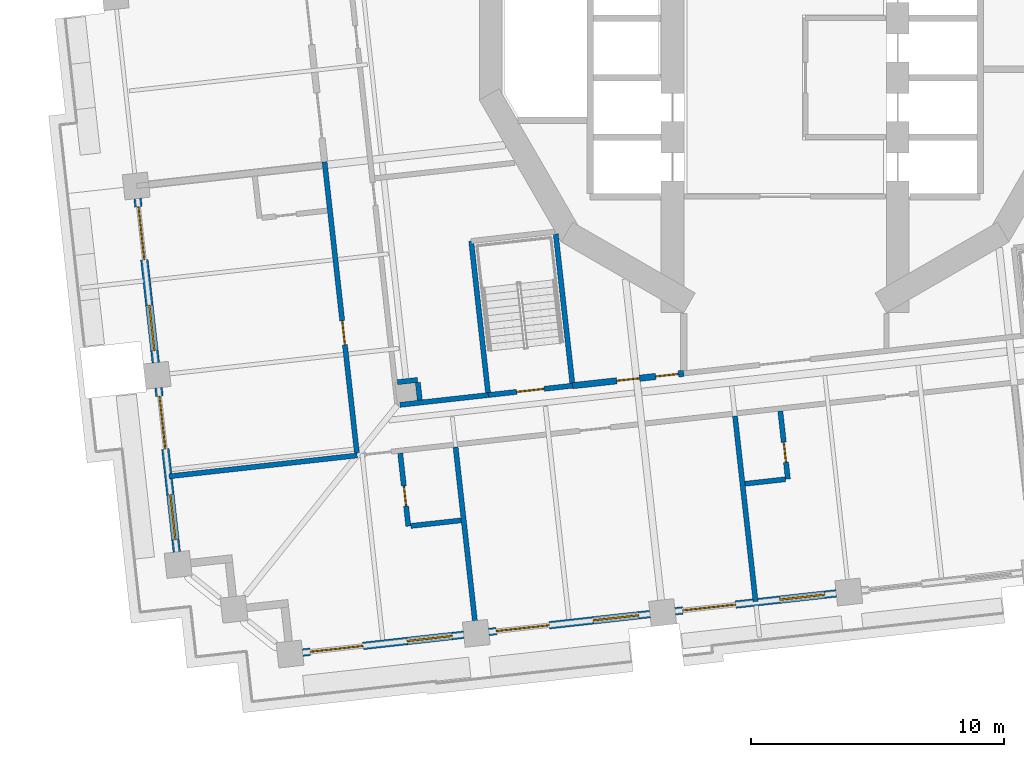
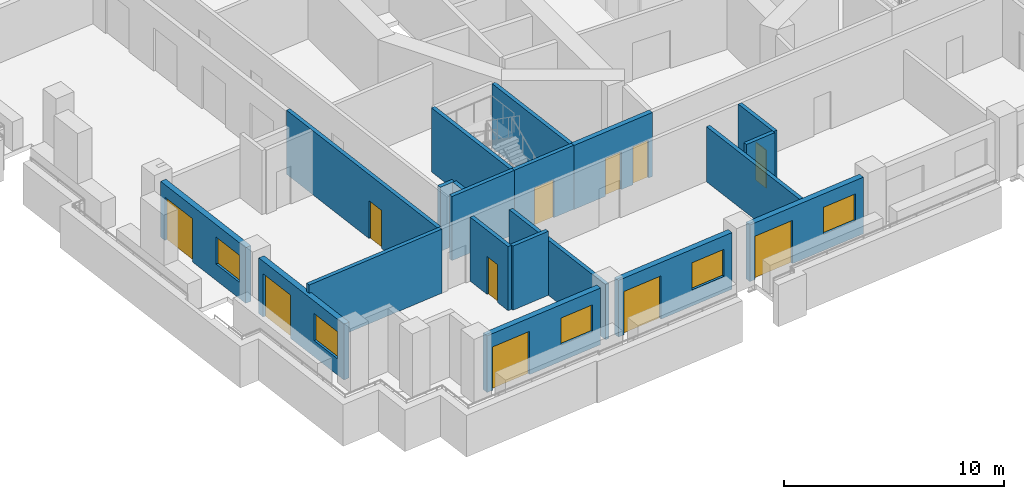
# One storey, part 4 of 19: 20 walls, 11 doors, 5 windows, 16 openings.
"""IFC4 building model written with IfcOpenShell, lengths in metres."""

import ifcopenshell
import ifcopenshell.guid

model = None  # the IFC model being written
_history = None  # IfcOwnerHistory: only IFC2X3 demands one
_inside = {}  # id of a spatial element -> (the spatial element, [elements in it])
_under = {}  # id of a project, library or spatial element -> (it, [spatial elements below it])
_declared = {}  # id of a project -> (the project, [libraries it declares])
_typed = {}  # id of a type object -> (the type object, [elements of that type])
_made_of = {}  # id of a material, layer set ... -> (it, [elements and type objects made of it])


def new_model(schema):
    """Start an empty IFC model of exactly this schema.

    Asked for "IFC4X3", IfcOpenShell would pick the latest addendum, in which some entities
    have other attributes; the version numbers below select the first issue.
    IFC2X3 requires an IfcOwnerHistory on every rooted entity: one is made here for all.
    """
    global model, _history
    if schema == "IFC4X3":
        model = ifcopenshell.file(schema_version=(4, 3, 0, 0))
    else:
        model = ifcopenshell.file(schema=schema)
    _inside.clear()
    _under.clear()
    _declared.clear()
    _typed.clear()
    _made_of.clear()
    _history = None
    if model.schema == "IFC2X3":
        org = make("IfcOrganization", Name="unknown")
        user = make(
            "IfcPersonAndOrganization",
            ThePerson=make("IfcPerson", FamilyName="unknown"),
            TheOrganization=org,
        )
        app = make(
            "IfcApplication",
            ApplicationDeveloper=org,
            Version="unknown",
            ApplicationFullName="unknown",
            ApplicationIdentifier="unknown",
        )
        _history = make(
            "IfcOwnerHistory",
            OwningUser=user,
            OwningApplication=app,
            ChangeAction="ADDED",
            CreationDate=0,
        )
    return model


def make(cls, **values):
    """One entity of the class cls with the attributes given. An attribute that is None is left unset."""
    return model.create_entity(
        cls, **{name: value for name, value in values.items() if value is not None}
    )


def rooted(cls, **values):
    """An entity with a GlobalId (a new one), such as an element, a storey or a relation."""
    return make(cls, GlobalId=ifcopenshell.guid.new(), OwnerHistory=_history, **values)


def si_unit(unit_type, name, prefix=None):
    """IfcSIUnit, for example si_unit("LENGTHUNIT", "METRE", prefix="MILLI")."""
    return make("IfcSIUnit", UnitType=unit_type, Prefix=prefix, Name=name)


def assignment(units):
    """IfcUnitAssignment: the units of a project."""
    return None if units is None else make("IfcUnitAssignment", Units=units)


def point(xyz):
    """IfcCartesianPoint."""
    return None if xyz is None else make("IfcCartesianPoint", Coordinates=xyz)


def direction(xyz):
    """IfcDirection."""
    return None if xyz is None else make("IfcDirection", DirectionRatios=xyz)


def frame(location, z_axis=None, x_axis=None):
    """IfcAxis2Placement3D, a coordinate frame: its origin and axes. An axis left out is left unset."""
    return make(
        "IfcAxis2Placement3D",
        Location=point(location),
        Axis=direction(z_axis),
        RefDirection=direction(x_axis),
    )


def frame_2d(location, x_axis=None):
    """IfcAxis2Placement2D, a coordinate frame in the plane: its origin and x axis."""
    return make(
        "IfcAxis2Placement2D", Location=point(location), RefDirection=direction(x_axis)
    )


def origin():
    """The frame at (0, 0, 0) with its axes left unset."""
    return frame((0.0, 0.0, 0.0))


def place(relative_to, where):
    """IfcLocalPlacement: puts the frame where relative to a parent placement (None: the world)."""
    return make(
        "IfcLocalPlacement", PlacementRelTo=relative_to, RelativePlacement=where
    )


def context(
    kind, dimensions, precision=None, world=None, true_north=None, identifier=None
):
    """IfcGeometricRepresentationContext, for example the 3D "Model" context."""
    return make(
        "IfcGeometricRepresentationContext",
        ContextIdentifier=identifier,
        ContextType=kind,
        CoordinateSpaceDimension=dimensions,
        Precision=precision,
        WorldCoordinateSystem=world,
        TrueNorth=true_north,
    )


def subcontext(parent, identifier, kind, view, scale=None):
    """IfcGeometricRepresentationSubContext, for example "Body" below "Model"."""
    return make(
        "IfcGeometricRepresentationSubContext",
        ContextIdentifier=identifier,
        ContextType=kind,
        ParentContext=parent,
        TargetScale=scale,
        TargetView=view,
    )


def project(units=None, contexts=None):
    """IfcProject with its units and contexts."""
    return rooted(
        "IfcProject",
        Name="project",
        RepresentationContexts=contexts,
        UnitsInContext=assignment(units),
    )


def spatial(cls, under=None, at=None, **own):
    """A site, building, storey or space (cls), placed at a placement, below another one or the project."""
    s = rooted(cls, ObjectPlacement=at, **own)
    if under is not None:
        _under.setdefault(under.id(), (under, []))[1].append(s)
    return s


def profile(cls, at=None, kind="AREA", **sizes):
    """A parametric profile (cls). Its sizes go by their IFC names, for example OverallWidth=200.0."""
    return make(cls, ProfileType=kind, Position=at, **sizes)


def rectangle(**sizes):
    """IfcRectangleProfileDef."""
    return profile("IfcRectangleProfileDef", **sizes)


def extrude(swept, where, along, depth):
    """IfcExtrudedAreaSolid: the profile swept, set in the frame where, extruded along a direction by depth."""
    return make(
        "IfcExtrudedAreaSolid",
        SweptArea=swept,
        Position=where,
        ExtrudedDirection=direction(along),
        Depth=depth,
    )


def shape(context_of_items, identifier, shape_type, items):
    """IfcShapeRepresentation: the items that make up one representation, for example the "Body"."""
    return make(
        "IfcShapeRepresentation",
        ContextOfItems=context_of_items,
        RepresentationIdentifier=identifier,
        RepresentationType=shape_type,
        Items=items,
    )


def material(Name=None, Category=None):
    """IfcMaterial."""
    return make("IfcMaterial", Name=Name, Category=Category)


def layer(
    of_material, thickness, ventilated=None, Name=None, Category=None, Priority=None
):
    """IfcMaterialLayer: one layer of a wall or slab, of a material (None: an air gap)."""
    return make(
        "IfcMaterialLayer",
        Material=of_material,
        LayerThickness=thickness,
        IsVentilated=ventilated,
        Name=Name,
        Category=Category,
        Priority=Priority,
    )


def layer_set(layers, Name=None):
    """IfcMaterialLayerSet."""
    return make("IfcMaterialLayerSet", MaterialLayers=layers, LayerSetName=Name)


def made_of(thing, what):
    """Note that an element or type object is made of a material, layer set ...; save() writes the relation."""
    if what is not None:
        _made_of.setdefault(what.id(), (what, []))[1].append(thing)
    return thing


def type_object(cls, material=None, **own):
    """A type object (cls), such as IfcWallType, which elements share."""
    return made_of(rooted(cls, **own), material)


def element(
    cls,
    number,
    at=None,
    inside=None,
    cuts=None,
    type_object=None,
    material=None,
    context=None,
    identifier="Body",
    shape_type=None,
    held_by="IfcProductDefinitionShape",
    body=None,
    shapes=None,
    **own,
):
    """One element of the class cls, such as IfcWall. Its Tag is "e" and its number.

    at: its placement. inside: the storey or other place that contains it. cuts: it is an
    opening in that element (IfcRelVoidsElement). A single representation is given by context,
    identifier, shape_type and body (its items); several are given by shapes. held_by: the class
    of the entity that holds the representations. save() writes the other relations.
    """
    e = rooted(cls, Tag="e%d" % number, ObjectPlacement=at, **own)
    if body is not None:
        shapes = [shape(context, identifier, shape_type, body)]
    if shapes is not None:
        e.Representation = make(held_by, Representations=shapes)
    if inside is not None:
        _inside.setdefault(inside.id(), (inside, []))[1].append(e)
    if cuts is not None:
        rooted(
            "IfcRelVoidsElement", RelatingBuildingElement=cuts, RelatedOpeningElement=e
        )
    if type_object is not None:
        _typed.setdefault(type_object.id(), (type_object, []))[1].append(e)
    return made_of(e, material)


def fill(opening, filler):
    """IfcRelFillsElement: the door or window that sits in an opening."""
    return rooted(
        "IfcRelFillsElement",
        RelatingOpeningElement=opening,
        RelatedBuildingElement=filler,
    )


def aggregate(whole, parts):
    """IfcRelAggregates: a whole, such as a stair, and the parts it consists of."""
    return rooted("IfcRelAggregates", RelatingObject=whole, RelatedObjects=parts)


def save(model, path):
    """Write the relations noted so far, then the file.

    IfcRelAggregates (storeys below a building ...), IfcRelContainedInSpatialStructure (elements
    in a storey), IfcRelDefinesByType, IfcRelAssociatesMaterial and IfcRelDeclares: one each for
    every whole, place, type object, material and project.
    """
    for whole, parts in _under.values():
        aggregate(whole, parts)
    for where, things in _inside.values():
        rooted(
            "IfcRelContainedInSpatialStructure",
            RelatedElements=things,
            RelatingStructure=where,
        )
    for kind, things in _typed.values():
        rooted("IfcRelDefinesByType", RelatedObjects=things, RelatingType=kind)
    for what, things in _made_of.values():
        rooted("IfcRelAssociatesMaterial", RelatedObjects=things, RelatingMaterial=what)
    for by, libraries in _declared.values():
        rooted("IfcRelDeclares", RelatingContext=by, RelatedDefinitions=libraries)
    model.write(path)


model = new_model("IFC4")

# Units and contexts
model_context = context("Model", 3, precision=1e-05, world=origin(), true_north=direction((0.0, 1.0)))
body_context = subcontext(model_context, "Body", "Model", "MODEL_VIEW")
ifc_project = project(units=[si_unit("LENGTHUNIT", "METRE"), si_unit("AREAUNIT", "SQUARE_METRE"), si_unit("VOLUMEUNIT", "CUBIC_METRE"), si_unit("PLANEANGLEUNIT", "RADIAN"), si_unit("MASSUNIT", "GRAM", prefix="KILO")], contexts=[model_context])

# Site, building, storey
site_placement = place(None, origin())
site = spatial("IfcSite", under=ifc_project, at=site_placement, CompositionType="ELEMENT")
building_placement = place(site_placement, origin())
building = spatial("IfcBuilding", under=site, at=building_placement, Name="Cantera Rosa Tower", CompositionType="ELEMENT")
storey_placement = place(building_placement, frame((0.0, 0.0, 65.300048828125)))
storey = spatial("IfcBuildingStorey", under=building, at=storey_placement, Name="L13", CompositionType="ELEMENT", Elevation=65.300048828125)

# Wall, opening, door
ifc_material_1 = material(Name="Gypsum board partition")
ifc_layer_1 = layer(ifc_material_1, 0.199951171875)
ifc_layer_set_1 = layer_set([ifc_layer_1], Name="CORRIDOR WALL 200 H3550")
wall_type_1 = type_object("IfcWallType", Name="CORRIDOR WALL 200 H3550", PredefinedType="PARTITIONING", material=ifc_layer_set_1)
wall_1_placement = place(storey_placement, frame((-18.184814453125, -5.67578125, 0.0), z_axis=(0.0, 0.0, 1.0), x_axis=(0.110301773485, -0.993898143054, 0.0)))
wall_1 = element("IfcWall", 1, at=wall_1_placement, inside=storey, type_object=wall_type_1, Name="CORRIDOR WALL L13-008", PredefinedType="PARTITIONING", context=body_context, shape_type="SweptSolid", body=[
    extrude(rectangle(XDim=11.56494140625, YDim=0.199951171875, at=frame_2d((5.782470703125, 0.0))), origin(), (0.0, 0.0, 1.0), 3.550048828125),
])
opening_1_placement = place(wall_1_placement, frame((6.320068359375, 0.0, 0.0)))
opening_1 = element("IfcOpeningElement", 2, at=opening_1_placement, cuts=wall_1, Name="Opening L13-035", PredefinedType="OPENING", context=body_context, shape_type="SweptSolid", body=[
    extrude(rectangle(XDim=0.949951171875, YDim=2.10009765625, at=frame_2d((0.47509765625, 1.050048828125))), frame((0.0, 0.10986328125, 0.0), z_axis=(0.0, -1.0, 0.0), x_axis=(1.0, 0.0, 0.0)), (0.0, 0.0, 1.0), 0.219970703125),
])
ifc_material_2 = material(Name="Timber door leaf", Category="wood")
door_type_1 = type_object("IfcDoorType", Name="ROOM DOOR 950x2100", OperationType="NOTDEFINED", PredefinedType="DOOR", material=ifc_material_2)
door_1_placement = place(opening_1_placement, origin())
door_1 = element("IfcDoor", 3, at=door_1_placement, inside=storey, type_object=door_type_1, Name="DOOR L13-035", OperationType="NOTDEFINED", OverallHeight=2.10009765625, OverallWidth=0.949951171875, PredefinedType="DOOR", context=body_context, shape_type="SweptSolid", body=[
    extrude(rectangle(XDim=0.949951171875, YDim=2.10009765625, at=frame_2d((0.47509765625, 1.050048828125))), frame((0.0, 0.02490234375, 0.0), z_axis=(0.0, -1.0, 0.0), x_axis=(1.0, 0.0, 0.0)), (0.0, 0.0, 1.0), 0.050048828125),
])
fill(opening_1, door_1)

# Wall
wall_2_placement = place(storey_placement, frame((-15.208251953125, -15.27099609375, 0.0), z_axis=(0.0, 0.0, 1.0), x_axis=(0.993893064489, 0.110347525396, 0.0)))
element("IfcWall", 4, at=wall_2_placement, inside=storey, type_object=wall_type_1, Name="CORRIDOR WALL L13-019", PredefinedType="PARTITIONING", context=body_context, shape_type="SweptSolid", body=[
    extrude(rectangle(XDim=3.509033203125, YDim=0.199951171875, at=frame_2d((1.75439453125, 0.0))), origin(), (0.0, 0.0, 1.0), 3.550048828125),
])

# Wall, openings, window, door
ifc_material_3 = material(Name="Hollow clay masonry with cantera stone cladding", Category="masonry")
ifc_layer_2 = layer(ifc_material_3, 0.300048828125)
ifc_layer_set_2 = layer_set([ifc_layer_2], Name="EW-LOGGIA 300 H3090")
wall_type_2 = type_object("IfcWallType", Name="EW-LOGGIA 300 H3090", PredefinedType="SOLIDWALL", material=ifc_layer_set_2)
wall_3_placement = place(storey_placement, frame((-25.570068359375, -7.124267578125, 0.0), z_axis=(0.0, 0.0, 1.0), x_axis=(0.110312341265, -0.993896970196, 0.0)))
wall_3 = element("IfcWall", 5, at=wall_3_placement, inside=storey, type_object=wall_type_2, Name="EN-L13-W19", PredefinedType="SOLIDWALL", context=body_context, shape_type="SweptSolid", body=[
    extrude(rectangle(XDim=6.52001953125, YDim=0.300048828125, at=frame_2d((3.260009765625, 0.0))), origin(), (0.0, 0.0, 1.0), 3.08984375),
])
opening_2_placement = place(wall_3_placement, frame((0.330078125, 0.0, 0.0)))
opening_2 = element("IfcOpeningElement", 6, at=opening_2_placement, cuts=wall_3, Name="Opening L13-TD25", PredefinedType="OPENING", context=body_context, shape_type="SweptSolid", body=[
    extrude(rectangle(XDim=2.10009765625, YDim=2.39990234375, at=frame_2d((1.050048828125, 1.199951171875))), frame((0.0, 0.159912109375, 0.0), z_axis=(0.0, -1.0, 0.0), x_axis=(1.0, 0.0, 0.0)), (0.0, 0.0, 1.0), 0.320068359375),
])
opening_3_placement = place(wall_3_placement, frame((4.239990234375, 0.0, 0.89990234375)))
opening_3 = element("IfcOpeningElement", 7, at=opening_3_placement, cuts=wall_3, Name="Opening L13-W26", PredefinedType="OPENING", context=body_context, shape_type="SweptSolid", body=[
    extrude(rectangle(XDim=1.800048828125, YDim=1.5, at=frame_2d((0.89990234375, 0.75))), frame((0.0, 0.159912109375, 0.0), z_axis=(0.0, -1.0, 0.0), x_axis=(1.0, 0.0, 0.0)), (0.0, 0.0, 1.0), 0.320068359375),
])
ifc_material_4 = material(Name="Aluminium frame with clear glass", Category="aluminium")
window_type = type_object("IfcWindowType", Name="Hotel room window 1800x1500", PartitioningType="DOUBLE_PANEL_VERTICAL", PredefinedType="WINDOW", material=ifc_material_4)
window_1_placement = place(opening_3_placement, origin())
window_1 = element("IfcWindow", 8, at=window_1_placement, inside=storey, type_object=window_type, Name="WINDOW L13-W26", OverallHeight=1.5, OverallWidth=1.800048828125, PartitioningType="SINGLE_PANEL", PredefinedType="WINDOW", context=body_context, shape_type="SweptSolid", body=[
    extrude(rectangle(XDim=1.800048828125, YDim=1.5, at=frame_2d((0.89990234375, 0.75))), frame((0.0, 0.030029296875, 0.0), z_axis=(0.0, -1.0, 0.0), x_axis=(1.0, 0.0, 0.0)), (0.0, 0.0, 1.0), 0.06005859375),
])
fill(opening_3, window_1)
ifc_material_5 = material(Name="Aluminium frame with clear glass", Category="aluminium")
door_type_2 = type_object("IfcDoorType", Name="TD-H 2100x2400", OperationType="NOTDEFINED", PredefinedType="DOOR", material=ifc_material_5)
door_2_placement = place(opening_2_placement, origin())
door_2 = element("IfcDoor", 9, at=door_2_placement, inside=storey, type_object=door_type_2, Name="LOGGIA DOOR L13-TD25", OperationType="SLIDING_TO_LEFT", OverallHeight=2.39990234375, OverallWidth=2.10009765625, PredefinedType="DOOR", context=body_context, shape_type="SweptSolid", body=[
    extrude(rectangle(XDim=2.10009765625, YDim=2.39990234375, at=frame_2d((1.050048828125, 1.199951171875))), frame((0.0, 0.02490234375, 0.0), z_axis=(0.0, -1.0, 0.0), x_axis=(1.0, 0.0, 0.0)), (0.0, 0.0, 1.0), 0.050048828125),
])
fill(opening_2, door_2)

wall_4_placement = place(storey_placement, frame((-24.74072265625, -14.598388671875, 0.0), z_axis=(0.0, 0.0, 1.0), x_axis=(0.110312341265, -0.993896970196, 0.0)))
wall_4 = element("IfcWall", 10, at=wall_4_placement, inside=storey, type_object=wall_type_2, Name="EN-L13-W20", PredefinedType="SOLIDWALL", context=body_context, shape_type="SweptSolid", body=[
    extrude(rectangle(XDim=6.52001953125, YDim=0.300048828125, at=frame_2d((3.260009765625, 0.0))), origin(), (0.0, 0.0, 1.0), 3.08984375),
])
opening_4_placement = place(wall_4_placement, frame((0.330078125, 0.0, 0.0)))
opening_4 = element("IfcOpeningElement", 11, at=opening_4_placement, cuts=wall_4, Name="Opening L13-TD27", PredefinedType="OPENING", context=body_context, shape_type="SweptSolid", body=[
    extrude(rectangle(XDim=2.10009765625, YDim=2.39990234375, at=frame_2d((1.050048828125, 1.199951171875))), frame((0.0, 0.159912109375, 0.0), z_axis=(0.0, -1.0, 0.0), x_axis=(1.0, 0.0, 0.0)), (0.0, 0.0, 1.0), 0.320068359375),
])
opening_5_placement = place(wall_4_placement, frame((4.239990234375, 0.0, 0.89990234375)))
opening_5 = element("IfcOpeningElement", 12, at=opening_5_placement, cuts=wall_4, Name="Opening L13-W28", PredefinedType="OPENING", context=body_context, shape_type="SweptSolid", body=[
    extrude(rectangle(XDim=1.800048828125, YDim=1.5, at=frame_2d((0.89990234375, 0.75))), frame((0.0, 0.159912109375, 0.0), z_axis=(0.0, -1.0, 0.0), x_axis=(1.0, 0.0, 0.0)), (0.0, 0.0, 1.0), 0.320068359375),
])
window_2_placement = place(opening_5_placement, origin())
window_2 = element("IfcWindow", 13, at=window_2_placement, inside=storey, type_object=window_type, Name="WINDOW L13-W28", OverallHeight=1.5, OverallWidth=1.800048828125, PartitioningType="SINGLE_PANEL", PredefinedType="WINDOW", context=body_context, shape_type="SweptSolid", body=[
    extrude(rectangle(XDim=1.800048828125, YDim=1.5, at=frame_2d((0.89990234375, 0.75))), frame((0.0, 0.030029296875, 0.0), z_axis=(0.0, -1.0, 0.0), x_axis=(1.0, 0.0, 0.0)), (0.0, 0.0, 1.0), 0.06005859375),
])
fill(opening_5, window_2)
door_3_placement = place(opening_4_placement, origin())
door_3 = element("IfcDoor", 14, at=door_3_placement, inside=storey, type_object=door_type_2, Name="LOGGIA DOOR L13-TD27", OperationType="SLIDING_TO_LEFT", OverallHeight=2.39990234375, OverallWidth=2.10009765625, PredefinedType="DOOR", context=body_context, shape_type="SweptSolid", body=[
    extrude(rectangle(XDim=2.10009765625, YDim=2.39990234375, at=frame_2d((1.050048828125, 1.199951171875))), frame((0.0, 0.02490234375, 0.0), z_axis=(0.0, -1.0, 0.0), x_axis=(1.0, 0.0, 0.0)), (0.0, 0.0, 1.0), 0.050048828125),
])
fill(opening_4, door_3)

ifc_material_6 = material(Name="Hollow clay masonry with cantera stone cladding", Category="masonry")
ifc_layer_3 = layer(ifc_material_6, 0.300048828125)
ifc_layer_set_3 = layer_set([ifc_layer_3], Name="EW-LOGGIA 300 H3140")
wall_type_3 = type_object("IfcWallType", Name="EW-LOGGIA 300 H3140", PredefinedType="SOLIDWALL", material=ifc_layer_set_3)
wall_5_placement = place(storey_placement, frame((-19.052490234375, -25.0546875, 0.0), z_axis=(0.0, 0.0, 1.0), x_axis=(0.993896288542, 0.110318482689, 0.0)))
wall_5 = element("IfcWall", 15, at=wall_5_placement, inside=storey, type_object=wall_type_3, Name="EN-L13-W23", PredefinedType="SOLIDWALL", context=body_context, shape_type="SweptSolid", body=[
    extrude(rectangle(XDim=6.400146484375, YDim=0.300048828125, at=frame_2d((3.2001953125, 0.0))), origin(), (0.0, 0.0, 1.0), 3.139892578125),
])
opening_6_placement = place(wall_5_placement, frame((0.300048828125, 0.0, 0.0)))
opening_6 = element("IfcOpeningElement", 16, at=opening_6_placement, cuts=wall_5, Name="Opening L13-TD29", PredefinedType="OPENING", context=body_context, shape_type="SweptSolid", body=[
    extrude(rectangle(XDim=2.10009765625, YDim=2.39990234375, at=frame_2d((1.050048828125, 1.199951171875))), frame((0.0, 0.159912109375, 0.0), z_axis=(0.0, -1.0, 0.0), x_axis=(1.0, 0.0, 0.0)), (0.0, 0.0, 1.0), 0.320068359375),
])
opening_7_placement = place(wall_5_placement, frame((4.14990234375, 0.0, 0.89990234375)))
opening_7 = element("IfcOpeningElement", 17, at=opening_7_placement, cuts=wall_5, Name="Opening L13-W30", PredefinedType="OPENING", context=body_context, shape_type="SweptSolid", body=[
    extrude(rectangle(XDim=1.800048828125, YDim=1.5, at=frame_2d((0.89990234375, 0.75))), frame((0.0, 0.159912109375, 0.0), z_axis=(0.0, -1.0, 0.0), x_axis=(1.0, 0.0, 0.0)), (0.0, 0.0, 1.0), 0.320068359375),
])
window_3_placement = place(opening_7_placement, origin())
window_3 = element("IfcWindow", 18, at=window_3_placement, inside=storey, type_object=window_type, Name="WINDOW L13-W30", OverallHeight=1.5, OverallWidth=1.800048828125, PartitioningType="SINGLE_PANEL", PredefinedType="WINDOW", context=body_context, shape_type="SweptSolid", body=[
    extrude(rectangle(XDim=1.800048828125, YDim=1.5, at=frame_2d((0.89990234375, 0.75))), frame((0.0, 0.030029296875, 0.0), z_axis=(0.0, -1.0, 0.0), x_axis=(1.0, 0.0, 0.0)), (0.0, 0.0, 1.0), 0.06005859375),
])
fill(opening_7, window_3)
door_4_placement = place(opening_6_placement, origin())
door_4 = element("IfcDoor", 19, at=door_4_placement, inside=storey, type_object=door_type_2, Name="LOGGIA DOOR L13-TD29", OperationType="SLIDING_TO_LEFT", OverallHeight=2.39990234375, OverallWidth=2.10009765625, PredefinedType="DOOR", context=body_context, shape_type="SweptSolid", body=[
    extrude(rectangle(XDim=2.10009765625, YDim=2.39990234375, at=frame_2d((1.050048828125, 1.199951171875))), frame((0.0, 0.02490234375, 0.0), z_axis=(0.0, -1.0, 0.0), x_axis=(1.0, 0.0, 0.0)), (0.0, 0.0, 1.0), 0.050048828125),
])
fill(opening_6, door_4)

wall_6_placement = place(storey_placement, frame((-11.697509765625, -24.23828125, 0.0), z_axis=(0.0, 0.0, 1.0), x_axis=(0.993895824271, 0.110322665379, 0.0)))
wall_6 = element("IfcWall", 20, at=wall_6_placement, inside=storey, type_object=wall_type_3, Name="EN-L13-W24", PredefinedType="SOLIDWALL", context=body_context, shape_type="SweptSolid", body=[
    extrude(rectangle(XDim=6.39990234375, YDim=0.300048828125, at=frame_2d((3.199951171875, 0.0))), origin(), (0.0, 0.0, 1.0), 3.139892578125),
])
opening_8_placement = place(wall_6_placement, frame((0.300048828125, 0.0, 0.0)))
opening_8 = element("IfcOpeningElement", 21, at=opening_8_placement, cuts=wall_6, Name="Opening L13-TD31", PredefinedType="OPENING", context=body_context, shape_type="SweptSolid", body=[
    extrude(rectangle(XDim=2.10009765625, YDim=2.39990234375, at=frame_2d((1.050048828125, 1.199951171875))), frame((0.0, 0.159912109375, 0.0), z_axis=(0.0, -1.0, 0.0), x_axis=(1.0, 0.0, 0.0)), (0.0, 0.0, 1.0), 0.320068359375),
])
opening_9_placement = place(wall_6_placement, frame((4.14990234375, 0.0, 0.89990234375)))
opening_9 = element("IfcOpeningElement", 22, at=opening_9_placement, cuts=wall_6, Name="Opening L13-W32", PredefinedType="OPENING", context=body_context, shape_type="SweptSolid", body=[
    extrude(rectangle(XDim=1.800048828125, YDim=1.5, at=frame_2d((0.89990234375, 0.75))), frame((0.0, 0.159912109375, 0.0), z_axis=(0.0, -1.0, 0.0), x_axis=(1.0, 0.0, 0.0)), (0.0, 0.0, 1.0), 0.320068359375),
])
window_4_placement = place(opening_9_placement, origin())
window_4 = element("IfcWindow", 23, at=window_4_placement, inside=storey, type_object=window_type, Name="WINDOW L13-W32", OverallHeight=1.5, OverallWidth=1.800048828125, PartitioningType="SINGLE_PANEL", PredefinedType="WINDOW", context=body_context, shape_type="SweptSolid", body=[
    extrude(rectangle(XDim=1.800048828125, YDim=1.5, at=frame_2d((0.89990234375, 0.75))), frame((0.0, 0.030029296875, 0.0), z_axis=(0.0, -1.0, 0.0), x_axis=(1.0, 0.0, 0.0)), (0.0, 0.0, 1.0), 0.06005859375),
])
fill(opening_9, window_4)
door_5_placement = place(opening_8_placement, origin())
door_5 = element("IfcDoor", 24, at=door_5_placement, inside=storey, type_object=door_type_2, Name="LOGGIA DOOR L13-TD31", OperationType="SLIDING_TO_LEFT", OverallHeight=2.39990234375, OverallWidth=2.10009765625, PredefinedType="DOOR", context=body_context, shape_type="SweptSolid", body=[
    extrude(rectangle(XDim=2.10009765625, YDim=2.39990234375, at=frame_2d((1.050048828125, 1.199951171875))), frame((0.0, 0.02490234375, 0.0), z_axis=(0.0, -1.0, 0.0), x_axis=(1.0, 0.0, 0.0)), (0.0, 0.0, 1.0), 0.050048828125),
])
fill(opening_8, door_5)

wall_7_placement = place(storey_placement, frame((-4.3427734375, -23.422119140625, 0.0), z_axis=(0.0, 0.0, 1.0), x_axis=(0.993895824271, 0.110322665379, 0.0)))
wall_7 = element("IfcWall", 25, at=wall_7_placement, inside=storey, type_object=wall_type_3, Name="EN-L13-W25", PredefinedType="SOLIDWALL", context=body_context, shape_type="SweptSolid", body=[
    extrude(rectangle(XDim=6.39990234375, YDim=0.300048828125, at=frame_2d((3.199951171875, 0.0))), origin(), (0.0, 0.0, 1.0), 3.139892578125),
])
opening_10_placement = place(wall_7_placement, frame((0.300048828125, 0.0, 0.0)))
opening_10 = element("IfcOpeningElement", 26, at=opening_10_placement, cuts=wall_7, Name="Opening L13-TD33", PredefinedType="OPENING", context=body_context, shape_type="SweptSolid", body=[
    extrude(rectangle(XDim=2.10009765625, YDim=2.39990234375, at=frame_2d((1.050048828125, 1.199951171875))), frame((0.0, 0.159912109375, 0.0), z_axis=(0.0, -1.0, 0.0), x_axis=(1.0, 0.0, 0.0)), (0.0, 0.0, 1.0), 0.320068359375),
])
opening_11_placement = place(wall_7_placement, frame((4.14990234375, 0.0, 0.89990234375)))
opening_11 = element("IfcOpeningElement", 27, at=opening_11_placement, cuts=wall_7, Name="Opening L13-W34", PredefinedType="OPENING", context=body_context, shape_type="SweptSolid", body=[
    extrude(rectangle(XDim=1.800048828125, YDim=1.5, at=frame_2d((0.89990234375, 0.75))), frame((0.0, 0.159912109375, 0.0), z_axis=(0.0, -1.0, 0.0), x_axis=(1.0, 0.0, 0.0)), (0.0, 0.0, 1.0), 0.320068359375),
])
window_5_placement = place(opening_11_placement, origin())
window_5 = element("IfcWindow", 28, at=window_5_placement, inside=storey, type_object=window_type, Name="WINDOW L13-W34", OverallHeight=1.5, OverallWidth=1.800048828125, PartitioningType="SINGLE_PANEL", PredefinedType="WINDOW", context=body_context, shape_type="SweptSolid", body=[
    extrude(rectangle(XDim=1.800048828125, YDim=1.5, at=frame_2d((0.89990234375, 0.75))), frame((0.0, 0.030029296875, 0.0), z_axis=(0.0, -1.0, 0.0), x_axis=(1.0, 0.0, 0.0)), (0.0, 0.0, 1.0), 0.06005859375),
])
fill(opening_11, window_5)
door_6_placement = place(opening_10_placement, origin())
door_6 = element("IfcDoor", 29, at=door_6_placement, inside=storey, type_object=door_type_2, Name="LOGGIA DOOR L13-TD33", OperationType="SLIDING_TO_LEFT", OverallHeight=2.39990234375, OverallWidth=2.10009765625, PredefinedType="DOOR", context=body_context, shape_type="SweptSolid", body=[
    extrude(rectangle(XDim=2.10009765625, YDim=2.39990234375, at=frame_2d((1.050048828125, 1.199951171875))), frame((0.0, 0.02490234375, 0.0), z_axis=(0.0, -1.0, 0.0), x_axis=(1.0, 0.0, 0.0)), (0.0, 0.0, 1.0), 0.050048828125),
])
fill(opening_10, door_6)

# Wall, opening, door
ifc_material_7 = material(Name="Gypsum board partition")
ifc_layer_4 = layer(ifc_material_7, 0.199951171875)
ifc_layer_set_4 = layer_set([ifc_layer_4], Name="PARTITION 200 H3550")
wall_type_4 = type_object("IfcWallType", Name="PARTITION 200 H3550", PredefinedType="PARTITIONING", material=ifc_layer_set_4)
wall_8_placement = place(storey_placement, frame((-14.87744140625, -20.063720703125, 0.0), z_axis=(0.0, 0.0, 1.0), x_axis=(-0.110366846939, 0.993890919114, 0.0)))
wall_8 = element("IfcWall", 30, at=wall_8_placement, inside=storey, type_object=wall_type_4, Name="PARTITION L13-020", PredefinedType="PARTITIONING", context=body_context, shape_type="SweptSolid", body=[
    extrude(rectangle(XDim=2.900146484375, YDim=0.199951171875, at=frame_2d((1.4501953125, 0.0))), origin(), (0.0, 0.0, 1.0), 3.550048828125),
])
opening_12_placement = place(wall_8_placement, frame((0.800048828125, 0.0, 0.0)))
opening_12 = element("IfcOpeningElement", 31, at=opening_12_placement, cuts=wall_8, Name="Opening L13-043", PredefinedType="OPENING", context=body_context, shape_type="SweptSolid", body=[
    extrude(rectangle(XDim=0.800048828125, YDim=2.10009765625, at=frame_2d((0.39990234375, 1.050048828125))), frame((0.0, 0.10986328125, 0.0), z_axis=(0.0, -1.0, 0.0), x_axis=(1.0, 0.0, 0.0)), (0.0, 0.0, 1.0), 0.219970703125),
])
ifc_material_8 = material(Name="Timber door leaf", Category="wood")
door_type_3 = type_object("IfcDoorType", Name="BATHROOM DOOR 800x2100", OperationType="NOTDEFINED", PredefinedType="DOOR", material=ifc_material_8)
door_7_placement = place(opening_12_placement, origin())
door_7 = element("IfcDoor", 32, at=door_7_placement, inside=storey, type_object=door_type_3, Name="DOOR L13-043", OperationType="NOTDEFINED", OverallHeight=2.10009765625, OverallWidth=0.800048828125, PredefinedType="DOOR", context=body_context, shape_type="SweptSolid", body=[
    extrude(rectangle(XDim=0.800048828125, YDim=2.10009765625, at=frame_2d((0.39990234375, 1.050048828125))), frame((0.0, 0.02490234375, 0.0), z_axis=(0.0, -1.0, 0.0), x_axis=(1.0, 0.0, 0.0)), (0.0, 0.0, 1.0), 0.050048828125),
])
fill(opening_12, door_7)

# Walls
wall_9_placement = place(storey_placement, frame((-14.512451171875, -14.2880859375, 0.0), z_axis=(0.0, 0.0, 1.0), x_axis=(-0.993880012744, -0.110465018303, 0.0)))
element("IfcWall", 33, at=wall_9_placement, inside=storey, type_object=wall_type_4, Name="PARTITION L13-021", PredefinedType="PARTITIONING", context=body_context, shape_type="SweptSolid", body=[
    extrude(rectangle(XDim=0.800048828125, YDim=0.199951171875, at=frame_2d((0.39990234375, 0.0))), origin(), (0.0, 0.0, 1.0), 3.550048828125),
])
wall_10_placement = place(storey_placement, frame((-14.42431640625, -15.083251953125, 0.0), z_axis=(0.0, 0.0, 1.0), x_axis=(-0.110201865026, 0.993909225707, 0.0)))
element("IfcWall", 34, at=wall_10_placement, inside=storey, type_object=wall_type_4, Name="PARTITION L13-022", PredefinedType="PARTITIONING", context=body_context, shape_type="SweptSolid", body=[
    extrude(rectangle(XDim=0.699951171875, YDim=0.199951171875, at=frame_2d((0.35009765625, 0.0))), origin(), (0.0, 0.0, 1.0), 3.550048828125),
])
wall_11_placement = place(storey_placement, frame((-12.790283203125, -19.83203125, 0.0), z_axis=(0.0, 0.0, 1.0), x_axis=(-0.993906044505, -0.110230552467, 0.0)))
element("IfcWall", 35, at=wall_11_placement, inside=storey, type_object=wall_type_4, Name="PARTITION L13-023", PredefinedType="PARTITIONING", context=body_context, shape_type="SweptSolid", body=[
    extrude(rectangle(XDim=2.0, YDim=0.199951171875, at=frame_2d((1.0, 0.0))), origin(), (0.0, 0.0, 1.0), 3.550048828125),
])

# Wall, opening, door
wall_12_placement = place(storey_placement, frame((-0.189697265625, -15.515625, 0.0), z_axis=(0.0, 0.0, 1.0), x_axis=(0.110401753874, -0.993887042245, 0.0)))
wall_12 = element("IfcWall", 36, at=wall_12_placement, inside=storey, type_object=wall_type_4, Name="PARTITION L13-053", PredefinedType="PARTITIONING", context=body_context, shape_type="SweptSolid", body=[
    extrude(rectangle(XDim=2.7001953125, YDim=0.199951171875, at=frame_2d((1.35009765625, 0.0))), origin(), (0.0, 0.0, 1.0), 3.550048828125),
])
opening_13_placement = place(wall_12_placement, frame((1.236083984375, 0.0, 0.0)))
opening_13 = element("IfcOpeningElement", 37, at=opening_13_placement, cuts=wall_12, Name="Opening L13-039", PredefinedType="OPENING", context=body_context, shape_type="SweptSolid", body=[
    extrude(rectangle(XDim=0.800048828125, YDim=2.10009765625, at=frame_2d((0.39990234375, 1.050048828125))), frame((0.0, 0.10986328125, 0.0), z_axis=(0.0, -1.0, 0.0), x_axis=(1.0, 0.0, 0.0)), (0.0, 0.0, 1.0), 0.219970703125),
])
door_8_placement = place(opening_13_placement, origin())
door_8 = element("IfcDoor", 38, at=door_8_placement, inside=storey, type_object=door_type_3, Name="DOOR L13-039", OperationType="NOTDEFINED", OverallHeight=2.10009765625, OverallWidth=0.800048828125, PredefinedType="DOOR", context=body_context, shape_type="SweptSolid", body=[
    extrude(rectangle(XDim=0.800048828125, YDim=2.10009765625, at=frame_2d((0.39990234375, 1.050048828125))), frame((0.0, 0.02490234375, 0.0), z_axis=(0.0, -1.0, 0.0), x_axis=(1.0, 0.0, 0.0)), (0.0, 0.0, 1.0), 0.050048828125),
])
fill(opening_13, door_8)

# Walls
wall_13_placement = place(storey_placement, frame((0.0087890625, -18.210205078125, 0.0), z_axis=(0.0, 0.0, 1.0), x_axis=(-0.993894895571, -0.110331031706, 0.0)))
element("IfcWall", 39, at=wall_13_placement, inside=storey, type_object=wall_type_4, Name="PARTITION L13-054", PredefinedType="PARTITIONING", context=body_context, shape_type="SweptSolid", body=[
    extrude(rectangle(XDim=1.599853515625, YDim=0.199951171875, at=frame_2d((0.7998046875, 0.0))), origin(), (0.0, 0.0, 1.0), 3.550048828125),
])
ifc_material_9 = material(Name="Gypsum board partition")
ifc_layer_5 = layer(ifc_material_9, 0.199951171875)
ifc_layer_set_5 = layer_set([ifc_layer_5], Name="PARTY WALL 200 H3050")
wall_type_5 = type_object("IfcWallType", Name="PARTY WALL 200 H3050", PredefinedType="PARTITIONING", material=ifc_layer_set_5)
wall_14_placement = place(storey_placement, frame((-12.197998046875, -24.263671875, 0.0), z_axis=(0.0, 0.0, 1.0), x_axis=(-0.11031154238, 0.993897058864, 0.0)))
element("IfcWall", 40, at=wall_14_placement, inside=storey, type_object=wall_type_5, Name="PARTY WALL L13-025", PredefinedType="PARTITIONING", context=body_context, shape_type="SweptSolid", body=[
    extrude(rectangle(XDim=7.369873046875, YDim=0.199951171875, at=frame_2d((3.68505859375, 0.0))), origin(), (0.0, 0.0, 1.0), 3.050048828125),
])
wall_15_placement = place(storey_placement, frame((-1.978515625, -15.714111328125, 0.0), z_axis=(0.0, 0.0, 1.0), x_axis=(0.110307910555, -0.993897461949, 0.0)))
element("IfcWall", 41, at=wall_15_placement, inside=storey, type_object=wall_type_5, Name="PARTY WALL L13-052", PredefinedType="PARTITIONING", context=body_context, shape_type="SweptSolid", body=[
    extrude(rectangle(XDim=7.3701171875, YDim=0.199951171875, at=frame_2d((3.68505859375, 0.0))), origin(), (0.0, 0.0, 1.0), 3.050048828125),
])
ifc_material_10 = material(Name="Gypsum board partition")
ifc_layer_6 = layer(ifc_material_10, 0.199951171875)
ifc_layer_set_6 = layer_set([ifc_layer_6], Name="PARTY WALL 200 H3550")
wall_type_6 = type_object("IfcWallType", Name="PARTY WALL 200 H3550", PredefinedType="PARTITIONING", material=ifc_layer_set_6)
wall_16_placement = place(storey_placement, frame((-24.322509765625, -18.093505859375, 0.0), z_axis=(0.0, 0.0, 1.0), x_axis=(0.993897676912, 0.110305973679, 0.0)))
element("IfcWall", 42, at=wall_16_placement, inside=storey, type_object=wall_type_6, Name="PARTY WALL L13-002", PredefinedType="PARTITIONING", context=body_context, shape_type="SweptSolid", body=[
    extrude(rectangle(XDim=7.469970703125, YDim=0.199951171875, at=frame_2d((3.73486328125, 0.0))), origin(), (0.0, 0.0, 1.0), 3.550048828125),
])

# Wall, openings, doors
ifc_material_11 = material(Name="Masonry blockwork", Category="masonry")
ifc_layer_7 = layer(ifc_material_11, 0.25)
ifc_layer_set_7 = layer_set([ifc_layer_7], Name="SHAFT WALL 250 H3550")
wall_type_7 = type_object("IfcWallType", Name="SHAFT WALL 250 H3550", PredefinedType="SOLIDWALL", material=ifc_layer_set_7)
wall_17_placement = place(storey_placement, frame((-8.391357421875, -14.51416015625, 0.0), z_axis=(0.0, 0.0, 1.0), x_axis=(0.993899223668, 0.110292035939, 0.0)))
wall_17 = element("IfcWall", 43, at=wall_17_placement, inside=storey, type_object=wall_type_7, Name="SHAFT WALL L13-038", PredefinedType="SOLIDWALL", context=body_context, shape_type="SweptSolid", body=[
    extrude(rectangle(XDim=4.418212890625, YDim=0.25, at=frame_2d((2.208984375, 0.0))), origin(), (0.0, 0.0, 1.0), 3.550048828125),
])
opening_14_placement = place(wall_17_placement, frame((3.305419921875, 0.0, 0.0)))
opening_14 = element("IfcOpeningElement", 44, at=opening_14_placement, cuts=wall_17, Name="Opening L13-010", PredefinedType="OPENING", context=body_context, shape_type="SweptSolid", body=[
    extrude(rectangle(XDim=0.89990234375, YDim=2.10009765625, at=frame_2d((0.449951171875, 1.050048828125))), frame((0.0, 0.135009765625, 0.0), z_axis=(0.0, -1.0, 0.0), x_axis=(1.0, 0.0, 0.0)), (0.0, 0.0, 1.0), 0.27001953125),
])
opening_15_placement = place(wall_17_placement, frame((1.759033203125, 0.0, 0.0)))
opening_15 = element("IfcOpeningElement", 45, at=opening_15_placement, cuts=wall_17, Name="Opening L13-046", PredefinedType="OPENING", context=body_context, shape_type="SweptSolid", body=[
    extrude(rectangle(XDim=0.89990234375, YDim=2.10009765625, at=frame_2d((0.449951171875, 1.050048828125))), frame((0.0, 0.135009765625, 0.0), z_axis=(0.0, -1.0, 0.0), x_axis=(1.0, 0.0, 0.0)), (0.0, 0.0, 1.0), 0.27001953125),
])
ifc_material_12 = material(Name="Timber door leaf", Category="wood")
door_type_4 = type_object("IfcDoorType", Name="SERVICE DOOR 900x2100", OperationType="NOTDEFINED", PredefinedType="DOOR", material=ifc_material_12)
door_9_placement = place(opening_14_placement, origin())
door_9 = element("IfcDoor", 46, at=door_9_placement, inside=storey, type_object=door_type_4, Name="RISER DOOR L13-010", OperationType="NOTDEFINED", OverallHeight=2.10009765625, OverallWidth=0.89990234375, PredefinedType="DOOR", context=body_context, shape_type="SweptSolid", body=[
    extrude(rectangle(XDim=0.89990234375, YDim=2.10009765625, at=frame_2d((0.449951171875, 1.050048828125))), frame((0.0, 0.02490234375, 0.0), z_axis=(0.0, -1.0, 0.0), x_axis=(1.0, 0.0, 0.0)), (0.0, 0.0, 1.0), 0.050048828125),
])
fill(opening_14, door_9)
door_10_placement = place(opening_15_placement, origin())
door_10 = element("IfcDoor", 47, at=door_10_placement, inside=storey, type_object=door_type_4, Name="RISER DOOR L13-046", OperationType="NOTDEFINED", OverallHeight=2.10009765625, OverallWidth=0.89990234375, PredefinedType="DOOR", context=body_context, shape_type="SweptSolid", body=[
    extrude(rectangle(XDim=0.89990234375, YDim=2.10009765625, at=frame_2d((0.449951171875, 1.050048828125))), frame((0.0, 0.02490234375, 0.0), z_axis=(0.0, -1.0, 0.0), x_axis=(1.0, 0.0, 0.0)), (0.0, 0.0, 1.0), 0.050048828125),
])
fill(opening_15, door_10)

# Wall
ifc_material_13 = material(Name="Concrete C50/60", Category="concrete")
ifc_layer_8 = layer(ifc_material_13, 0.199951171875)
ifc_layer_set_8 = layer_set([ifc_layer_8], Name="STAIR WALL 200 H3550")
wall_type_8 = type_object("IfcWallType", Name="STAIR WALL 200 H3550", PredefinedType="SOLIDWALL", material=ifc_layer_set_8)
wall_18_placement = place(storey_placement, frame((-12.395751953125, -8.802978515625, 0.0), z_axis=(0.0, 0.0, 1.0), x_axis=(0.110335171461, -0.993894436014, 0.0)))
element("IfcWall", 48, at=wall_18_placement, inside=storey, type_object=wall_type_8, Name="STAIR WALL L13-024", PredefinedType="SOLIDWALL", context=body_context, shape_type="SweptSolid", body=[
    extrude(rectangle(XDim=6.1181640625, YDim=0.199951171875, at=frame_2d((3.05908203125, 0.0))), origin(), (0.0, 0.0, 1.0), 3.550048828125),
])

# Wall, opening, door
wall_19_placement = place(storey_placement, frame((-11.720703125, -14.8837890625, 0.0), z_axis=(0.0, 0.0, 1.0), x_axis=(0.993893507649, 0.110343533811, 0.0)))
wall_19 = element("IfcWall", 49, at=wall_19_placement, inside=storey, type_object=wall_type_8, Name="STAIR WALL L13-027", PredefinedType="SOLIDWALL", context=body_context, shape_type="SweptSolid", body=[
    extrude(rectangle(XDim=3.349853515625, YDim=0.199951171875, at=frame_2d((1.6748046875, 0.0))), origin(), (0.0, 0.0, 1.0), 3.550048828125),
])
opening_16_placement = place(wall_19_placement, frame((1.125, 0.0, 0.0)))
opening_16 = element("IfcOpeningElement", 50, at=opening_16_placement, cuts=wall_19, Name="Opening L13-003", PredefinedType="OPENING", context=body_context, shape_type="SweptSolid", body=[
    extrude(rectangle(XDim=1.10009765625, YDim=2.10009765625, at=frame_2d((0.550048828125, 1.050048828125))), frame((0.0, 0.10986328125, 0.0), z_axis=(0.0, -1.0, 0.0), x_axis=(1.0, 0.0, 0.0)), (0.0, 0.0, 1.0), 0.219970703125),
])
ifc_material_14 = material(Name="Steel S355J2 (EN 10025-2)", Category="steel")
door_type_5 = type_object("IfcDoorType", Name="STAIR DOOR 1100x2100", OperationType="NOTDEFINED", PredefinedType="DOOR", material=ifc_material_14)
door_11_placement = place(opening_16_placement, origin())
door_11 = element("IfcDoor", 51, at=door_11_placement, inside=storey, type_object=door_type_5, Name="DOOR L13-003", OperationType="NOTDEFINED", OverallHeight=2.10009765625, OverallWidth=1.10009765625, PredefinedType="DOOR", context=body_context, shape_type="SweptSolid", body=[
    extrude(rectangle(XDim=1.10009765625, YDim=2.10009765625, at=frame_2d((0.550048828125, 1.050048828125))), frame((0.0, 0.02490234375, 0.0), z_axis=(0.0, -1.0, 0.0), x_axis=(1.0, 0.0, 0.0)), (0.0, 0.0, 1.0), 0.050048828125),
])
fill(opening_16, door_11)

# Wall
wall_20_placement = place(storey_placement, frame((-8.391357421875, -14.51416015625, 0.0), z_axis=(0.0, 0.0, 1.0), x_axis=(-0.11031151838, 0.993897061527, 0.0)))
element("IfcWall", 52, at=wall_20_placement, inside=storey, type_object=wall_type_8, Name="STAIR WALL L13-037", PredefinedType="SOLIDWALL", context=body_context, shape_type="SweptSolid", body=[
    extrude(rectangle(XDim=6.02880859375, YDim=0.199951171875, at=frame_2d((3.014404296875, 0.0))), origin(), (0.0, 0.0, 1.0), 3.550048828125),
])

save(model, "model.ifc")
